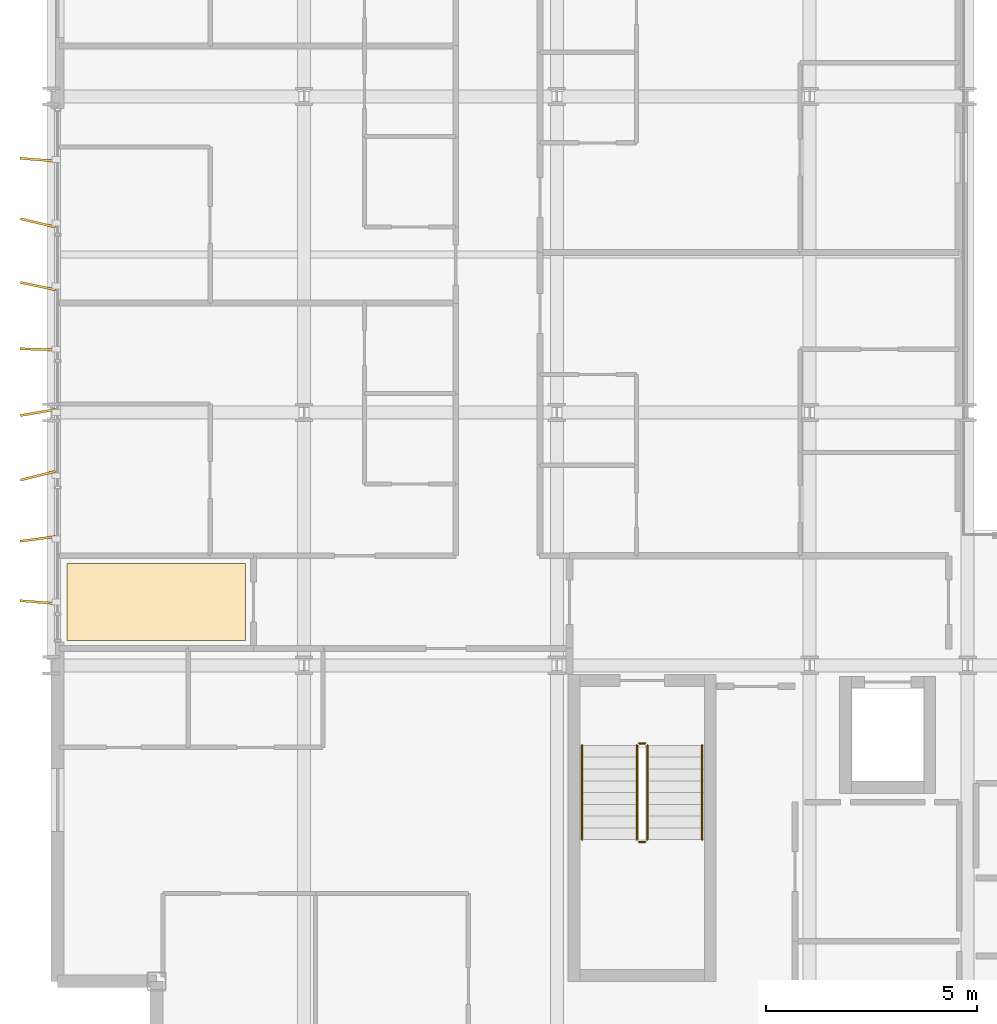
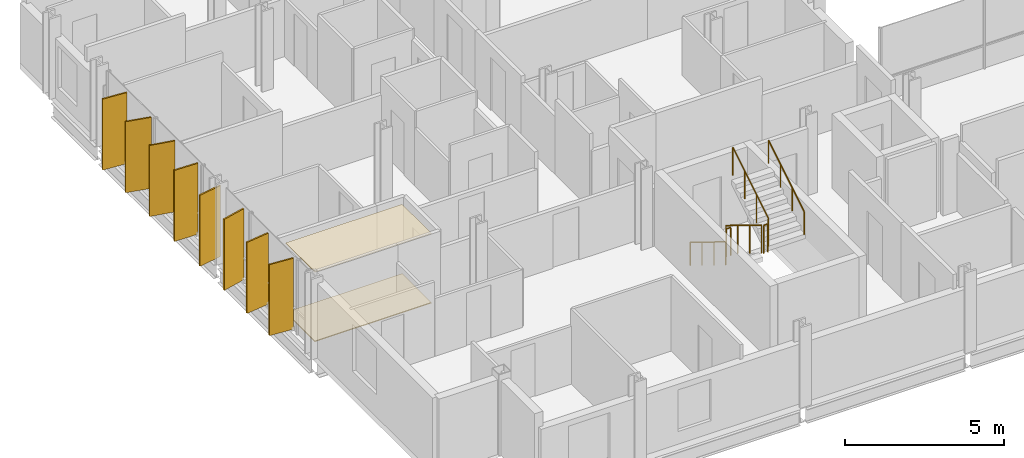
# One storey, part 36 of 39: 8 shading devices, 6 railings, 2 coverings.
"""IFC4 building model written with IfcOpenShell, lengths in metres."""

from ifc_helpers import new_model, si_unit, direction, frame, origin, origin_2d, place, context, subcontext, project, spatial, polyline, rectangle, circle, outline, extrude, material, layer, layer_set, type_object, element, save


model = new_model("IFC4")

# Units and contexts
model_context = context("Model", 3, precision=1e-05, world=origin(), true_north=direction((0.0, 1.0)))
body_context = subcontext(model_context, "Body", "Model", "MODEL_VIEW")
ifc_project = project(units=[si_unit("LENGTHUNIT", "METRE"), si_unit("AREAUNIT", "SQUARE_METRE"), si_unit("VOLUMEUNIT", "CUBIC_METRE"), si_unit("PLANEANGLEUNIT", "RADIAN"), si_unit("MASSUNIT", "GRAM", prefix="KILO")], contexts=[model_context])

# Site, building, storey
site_placement = place(None, origin())
site = spatial("IfcSite", under=ifc_project, at=site_placement, CompositionType="ELEMENT")
building_placement = place(site_placement, origin())
building = spatial("IfcBuilding", under=site, at=building_placement, Name="Brevholm Reach", CompositionType="ELEMENT")
storey_placement = place(building_placement, frame((0.0, 0.0, 90.0)))
storey = spatial("IfcBuildingStorey", under=building, at=storey_placement, Name="L26", CompositionType="ELEMENT", Elevation=90.0)

# Coverings
ifc_material_1 = material(Name="Moisture-Resistant Skimmed Gypsum Plasterboard Ceiling", Category="gypsum")
ifc_layer_1 = layer(ifc_material_1, 0.030029296875)
ifc_layer_set_1 = layer_set([ifc_layer_1], Name="Moisture-Resistant Skimmed Gypsum Plasterboard Ceiling")
covering_type_1 = type_object("IfcCoveringType", Name="COV-CLG-GYP", PredefinedType="CEILING", material=ifc_layer_set_1)
covering_1_placement = place(storey_placement, frame((0.0, 0.0, 2.669921875)))
element("IfcCovering", 1, at=covering_1_placement, inside=storey, type_object=covering_type_1, Name="L26 Suspended Ceiling L26-33", PredefinedType="CEILING", context=body_context, shape_type="SweptSolid", body=[
    extrude(outline(polyline([(0.3798828125, 12.419921875), (4.615966796875, 12.419921875), (4.615966796875, 10.583984375), (0.3798828125, 10.583984375), (0.3798828125, 12.419921875)])), origin(), (0.0, 0.0, 1.0), 0.030029296875),
])
ifc_material_2 = material(Name="Honed Portland-Aggregate Resin Terrazzo Flooring", Category="concrete")
ifc_layer_2 = layer(ifc_material_2, 0.031982421875)
ifc_layer_set_2 = layer_set([ifc_layer_2], Name="Honed Portland-Aggregate Resin Terrazzo Flooring")
covering_type_2 = type_object("IfcCoveringType", Name="COV-FLR-TRZ", PredefinedType="FLOORING", material=ifc_layer_set_2)
covering_2_placement = place(storey_placement, origin())
element("IfcCovering", 2, at=covering_2_placement, inside=storey, type_object=covering_type_2, Name="L26 Floor Finish L26-33", PredefinedType="FLOORING", context=body_context, shape_type="SweptSolid", body=[
    extrude(outline(polyline([(0.3798828125, 12.419921875), (4.615966796875, 12.419921875), (4.615966796875, 10.583984375), (0.3798828125, 10.583984375), (0.3798828125, 12.419921875)])), origin(), (0.0, 0.0, 1.0), 0.031982421875),
])

# Railings
ifc_material_3 = material(Name="Brushed Stainless Steel EN 1.4401 Continuous Handrail", Category="steel")
railing_type_1 = type_object("IfcRailingType", Name="RAL-HND-950", PredefinedType="HANDRAIL", material=ifc_material_3)
railing_1_placement = place(storey_placement, frame((12.60009765625, 8.10009765625, 0.172119140625)))
element("IfcRailing", 3, at=railing_1_placement, inside=storey, type_object=railing_type_1, Name="L26 ST-1 stair handrail 1", PredefinedType="HANDRAIL", context=body_context, shape_type="SweptSolid", body=[
    extrude(circle(Radius=0.02392578125, at=origin_2d()), frame((0.0, 0.0, 0.8857421875), z_axis=(0.0, -0.851747552033, 0.523952390591), x_axis=(1.0, 0.0, 0.0)), (0.0, 0.0, 1.0), 2.6298828125),
    extrude(circle(Radius=0.02099609375, at=origin_2d()), origin(), (0.0, 0.0, 1.0), 0.86181640625),
    extrude(circle(Radius=0.02099609375, at=origin_2d()), frame((0.0, -0.74658203125, 0.459228515625)), (0.0, 0.0, 1.0), 0.86181640625),
    extrude(circle(Radius=0.02099609375, at=origin_2d()), frame((0.0, -1.493408203125, 0.918701171875)), (0.0, 0.0, 1.0), 0.86181640625),
    extrude(circle(Radius=0.02099609375, at=origin_2d()), frame((0.0, -2.239990234375, 1.3779296875)), (0.0, 0.0, 1.0), 0.86181640625),
])
railing_2_placement = place(storey_placement, frame((15.449951171875, 5.860107421875, 1.72216796875)))
element("IfcRailing", 4, at=railing_2_placement, inside=storey, type_object=railing_type_1, Name="L26 ST-1 stair handrail 2", PredefinedType="HANDRAIL", context=body_context, shape_type="SweptSolid", body=[
    extrude(circle(Radius=0.02392578125, at=origin_2d()), frame((0.0, 0.0, 0.8857421875), z_axis=(0.0, 0.851747552033, 0.523952390591), x_axis=(-1.0, 0.0, 0.0)), (0.0, 0.0, 1.0), 2.6298828125),
    extrude(circle(Radius=0.02099609375, at=origin_2d()), origin(), (0.0, 0.0, 1.0), 0.86181640625),
    extrude(circle(Radius=0.02099609375, at=origin_2d()), frame((0.0, 0.74658203125, 0.459228515625)), (0.0, 0.0, 1.0), 0.86181640625),
    extrude(circle(Radius=0.02099609375, at=origin_2d()), frame((0.0, 1.493408203125, 0.918701171875)), (0.0, 0.0, 1.0), 0.86181640625),
    extrude(circle(Radius=0.02099609375, at=origin_2d()), frame((0.0, 2.239990234375, 1.3779296875)), (0.0, 0.0, 1.0), 0.86181640625),
])
ifc_material_4 = material(Name="Painted Tubular Galvanised Steel S275JR Stair Guard", Category="steel")
railing_type_2 = type_object("IfcRailingType", Name="RAL-STG-1120", PredefinedType="BALUSTRADE", material=ifc_material_4)
railing_3_placement = place(storey_placement, frame((13.89990234375, 8.10009765625, 0.172119140625)))
element("IfcRailing", 5, at=railing_3_placement, inside=storey, type_object=railing_type_2, Name="L26 ST-1 stair guard 1", PredefinedType="BALUSTRADE", context=body_context, shape_type="SweptSolid", body=[
    extrude(circle(Radius=0.02392578125, at=origin_2d()), frame((0.0, 0.0, 1.076171875), z_axis=(0.0, -0.851747552033, 0.523952390591), x_axis=(1.0, 0.0, 0.0)), (0.0, 0.0, 1.0), 2.6298828125),
    extrude(circle(Radius=0.02099609375, at=origin_2d()), origin(), (0.0, 0.0, 1.0), 1.052001953125),
    extrude(circle(Radius=0.02099609375, at=origin_2d()), frame((0.0, -0.74658203125, 0.459228515625)), (0.0, 0.0, 1.0), 1.052001953125),
    extrude(circle(Radius=0.02099609375, at=origin_2d()), frame((0.0, -1.493408203125, 0.918701171875)), (0.0, 0.0, 1.0), 1.052001953125),
    extrude(circle(Radius=0.02099609375, at=origin_2d()), frame((0.0, -2.239990234375, 1.3779296875)), (0.0, 0.0, 1.0), 1.052001953125),
])
railing_4_placement = place(storey_placement, frame((13.949951171875, 5.81005859375, 1.550048828125)))
element("IfcRailing", 6, at=railing_4_placement, inside=storey, type_object=railing_type_2, Name="L26 ST-1 stair guard 2", PredefinedType="BALUSTRADE", context=body_context, shape_type="SweptSolid", body=[
    extrude(circle(Radius=0.02392578125, at=origin_2d()), frame((0.0, 0.0, 1.076171875), z_axis=(1.0, 0.0, 0.0), x_axis=(0.0, 1.0, 0.0)), (0.0, 0.0, 1.0), 0.150146484375),
    extrude(circle(Radius=0.02099609375, at=origin_2d()), origin(), (0.0, 0.0, 1.0), 1.052001953125),
    extrude(circle(Radius=0.02099609375, at=origin_2d()), frame((0.150146484375, 0.0, 0.0)), (0.0, 0.0, 1.0), 1.052001953125),
])
railing_5_placement = place(storey_placement, frame((14.14990234375, 5.860107421875, 1.72216796875)))
element("IfcRailing", 7, at=railing_5_placement, inside=storey, type_object=railing_type_2, Name="L26 ST-1 stair guard 3", PredefinedType="BALUSTRADE", context=body_context, shape_type="SweptSolid", body=[
    extrude(circle(Radius=0.02392578125, at=origin_2d()), frame((0.0, 0.0, 1.076171875), z_axis=(0.0, 0.851747552033, 0.523952390591), x_axis=(-1.0, 0.0, 0.0)), (0.0, 0.0, 1.0), 2.6298828125),
    extrude(circle(Radius=0.02099609375, at=origin_2d()), origin(), (0.0, 0.0, 1.0), 1.052001953125),
    extrude(circle(Radius=0.02099609375, at=origin_2d()), frame((0.0, 0.74658203125, 0.459228515625)), (0.0, 0.0, 1.0), 1.052001953125),
    extrude(circle(Radius=0.02099609375, at=origin_2d()), frame((0.0, 1.493408203125, 0.918701171875)), (0.0, 0.0, 1.0), 1.052001953125),
    extrude(circle(Radius=0.02099609375, at=origin_2d()), frame((0.0, 2.239990234375, 1.3779296875)), (0.0, 0.0, 1.0), 1.052001953125),
])
railing_6_placement = place(storey_placement, frame((13.949951171875, 8.14990234375, 0.0)))
element("IfcRailing", 8, at=railing_6_placement, inside=storey, type_object=railing_type_2, Name="L26 ST-1 stair guard 4", PredefinedType="BALUSTRADE", context=body_context, shape_type="SweptSolid", body=[
    extrude(circle(Radius=0.02392578125, at=origin_2d()), frame((0.0, 0.0, 1.076171875), z_axis=(1.0, 0.0, 0.0), x_axis=(0.0, 1.0, 0.0)), (0.0, 0.0, 1.0), 0.150146484375),
    extrude(circle(Radius=0.02099609375, at=origin_2d()), origin(), (0.0, 0.0, 1.0), 1.052001953125),
    extrude(circle(Radius=0.02099609375, at=origin_2d()), frame((0.150146484375, 0.0, 0.0)), (0.0, 0.0, 1.0), 1.052001953125),
])

# Shading devices
ifc_material_5 = material(Name="Perforated Champagne-Bronze Anodised Aluminium", Category="aluminium")
ifc_layer_3 = layer(ifc_material_5, 0.054931640625)
ifc_layer_set_3 = layer_set([ifc_layer_3], Name="Perforated Champagne-Bronze Anodised Aluminium")
shading_device_type = type_object("IfcShadingDeviceType", Name="SHD-FIN-850", PredefinedType="USERDEFINED", material=ifc_layer_set_3)
for number, where, z_axis, x_axis, name in (
    (9, (-0.31494140625, 11.5, 0.070068359375), (0.0, 0.0, 1.0), (-0.996962357573, 0.077884899581, 0.0), "L26 Perforated Solar Screen Fin 1"),
    (10, (-0.31494140625, 13.0, 0.070068359375), (0.0, 0.0, 1.0), (-0.991243218225, -0.132048787661, 0.0), "L26 Perforated Solar Screen Fin 2"),
    (11, (-0.31494140625, 14.5, 0.070068359375), (0.0, 0.0, 1.0), (-0.970590565411, -0.240736275485, 0.0), "L26 Perforated Solar Screen Fin 3"),
    (12, (-0.31494140625, 16.0, 0.070068359375), (0.0, 0.0, 1.0), (-0.985461322746, -0.16989991575, 0.0), "L26 Perforated Solar Screen Fin 4"),
    (13, (-0.31494140625, 17.5, 0.070068359375), (0.0, 0.0, 1.0), (-0.999543135468, 0.030224498969, 0.0), "L26 Perforated Solar Screen Fin 5"),
    (14, (-0.31494140625, 19.0, 0.070068359375), (0.0, 0.0, 1.0), (-0.978361177965, 0.206904338888, 0.0), "L26 Perforated Solar Screen Fin 6"),
    (15, (-0.31494140625, 20.5, 0.070068359375), (0.0, 0.0, 1.0), (-0.973742058049, 0.227654133253, 0.0), "L26 Perforated Solar Screen Fin 7"),
    (16, (-0.31494140625, 22.0, 0.070068359375), (0.0, 0.0, 1.0), (-0.996962357573, 0.077884899581, 0.0), "L26 Perforated Solar Screen Fin 8"),
):
    element("IfcShadingDevice", number, at=place(storey_placement, frame(where, z_axis=z_axis, x_axis=x_axis)), inside=storey, type_object=shading_device_type, Name=name, ObjectType="SCREEN", PredefinedType="USERDEFINED", context=body_context, shape_type="SweptSolid", body=[
        extrude(rectangle(XDim=0.85009765625, YDim=0.054931640625, at=origin_2d()), origin(), (0.0, 0.0, 1.0), 2.72998046875),
    ])

save(model, "model.ifc")
